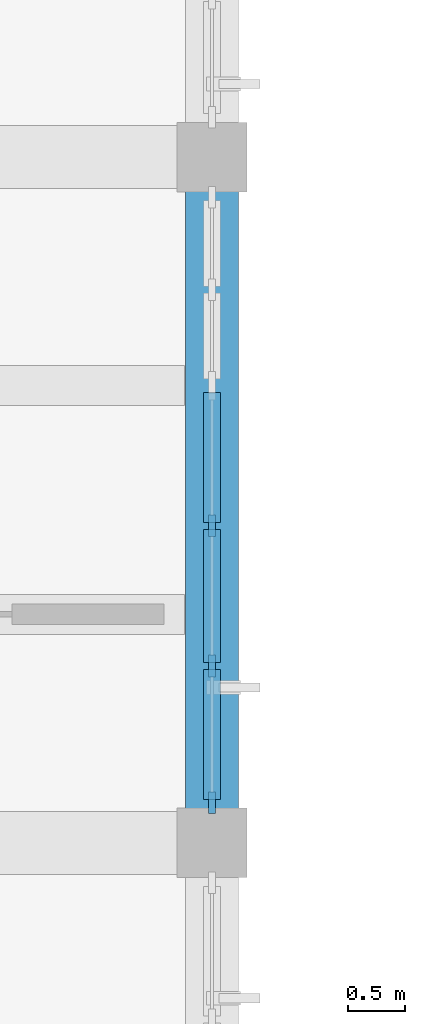
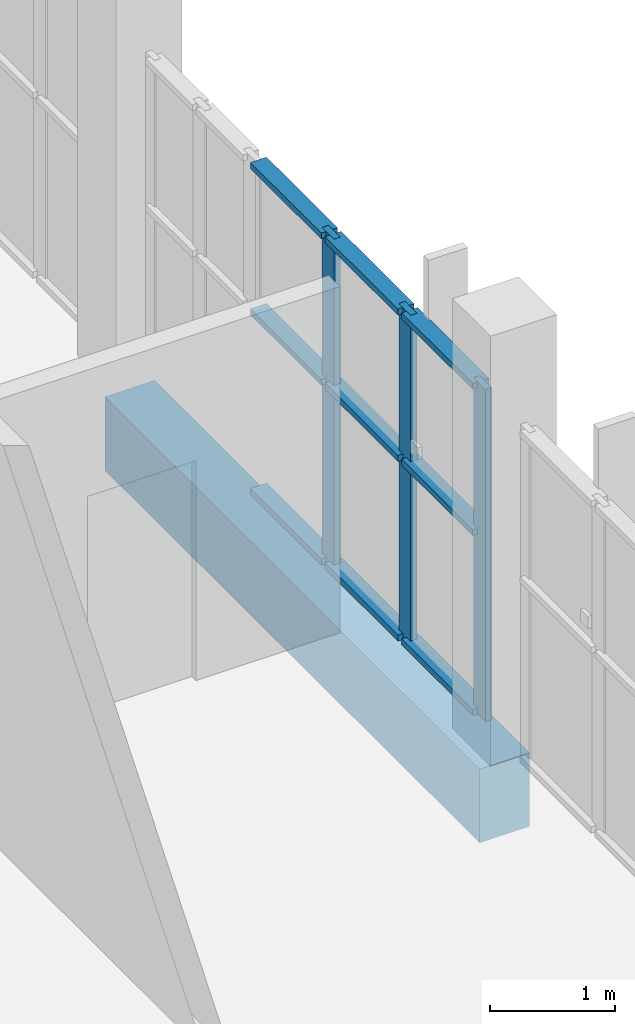
# One storey, part 11 of 85: 12 members, 1 beam, 1 element without a shape of its own.
"""IFC4 building model written with IfcOpenShell, lengths in metres."""

from ifc_helpers import new_model, si_unit, direction, frame, origin, origin_2d, place, context, subcontext, project, spatial, rectangle, extrude, material, layer, layer_set, material_profile, profile_set, type_object, element, aggregate, save


model = new_model("IFC4")

# Units and contexts
model_context = context("Model", 3, precision=1e-05, world=origin(), true_north=direction((0.0, 1.0)))
body_context = subcontext(model_context, "Body", "Model", "MODEL_VIEW")
ifc_project = project(units=[si_unit("LENGTHUNIT", "METRE"), si_unit("AREAUNIT", "SQUARE_METRE"), si_unit("VOLUMEUNIT", "CUBIC_METRE"), si_unit("PLANEANGLEUNIT", "RADIAN"), si_unit("MASSUNIT", "GRAM", prefix="KILO")], contexts=[model_context])

# Site, building, storey
site_placement = place(None, origin())
site = spatial("IfcSite", under=ifc_project, at=site_placement, CompositionType="ELEMENT")
building_placement = place(site_placement, origin())
building = spatial("IfcBuilding", under=site, at=building_placement, Name="Solvane Community Centre", CompositionType="ELEMENT")
storey_placement = place(building_placement, frame((0.0, 0.0, 5.39990234375)))
storey = spatial("IfcBuildingStorey", under=building, at=storey_placement, Name="L01", CompositionType="ELEMENT", Elevation=5.39990234375)

# Curtain wall, members
ifc_material_1 = material(Name="Anodised bronze aluminium AW-6063 T6", Category="aluminium")
ifc_layer = layer(ifc_material_1, 0.18994140625)
ifc_layer_set = layer_set([ifc_layer], Name="Anodised bronze aluminium AW-6063 T6")
curtain_wall_type = type_object("IfcCurtainWallType", Name="Boulevard Bronze Vision Curtain Wall [37x32dm]", PredefinedType="NOTDEFINED", material=ifc_layer_set)
curtain_wall_placement = place(storey_placement, origin())
curtain_wall = element("IfcCurtainWall", 1, at=curtain_wall_placement, inside=storey, type_object=curtain_wall_type, Name="Curtain Wall CW-L01-680_700-105", PredefinedType="NOTDEFINED")
ifc_material_profile_1 = material_profile(ifc_material_1, rectangle(XDim=0.06005859375, YDim=0.18994140625, at=origin_2d()), Name="CW-M 60x190")
ifc_profile_set_1 = profile_set([ifc_material_profile_1], Name="Anodised bronze aluminium AW-6063 T6")
member_type_1 = type_object("IfcMemberType", Name="Boulevard Mullion 60x190", PredefinedType="MULLION", material=ifc_profile_set_1)
member_1_placement = place(storey_placement, frame((68.0, 68.7734375, 0.0), z_axis=(0.0, 0.0, 1.0), x_axis=(1.0, 0.0, 0.0)))
member_1 = element("IfcMember", 2, at=member_1_placement, type_object=member_type_1, Name="CW02-37x32 mullion 2", PredefinedType="MULLION", context=body_context, shape_type="SweptSolid", body=[
    extrude(rectangle(XDim=0.06005859375, YDim=0.18994140625, at=origin_2d()), origin(), (0.0, 0.0, 1.0), 3.2451171875),
])
member_2_placement = place(storey_placement, frame((68.0, 67.546630859375, 0.0), z_axis=(0.0, 0.0, 1.0), x_axis=(1.0, 0.0, 0.0)))
member_2 = element("IfcMember", 3, at=member_2_placement, type_object=member_type_1, Name="CW02-37x32 mullion 3", PredefinedType="MULLION", context=body_context, shape_type="SweptSolid", body=[
    extrude(rectangle(XDim=0.06005859375, YDim=0.18994140625, at=origin_2d()), origin(), (0.0, 0.0, 1.0), 3.2451171875),
])
member_3_placement = place(storey_placement, frame((68.0, 66.35009765625, 0.0), z_axis=(0.0, 0.0, 1.0), x_axis=(1.0, 0.0, 0.0)))
member_3 = element("IfcMember", 4, at=member_3_placement, type_object=member_type_1, Name="CW02-37x32 mullion 4", PredefinedType="MULLION", context=body_context, shape_type="SweptSolid", body=[
    extrude(rectangle(XDim=0.06005859375, YDim=0.18994140625, at=origin_2d()), origin(), (0.0, 0.0, 1.0), 3.2451171875),
])
ifc_material_profile_2 = material_profile(ifc_material_1, rectangle(XDim=0.14990234375, YDim=0.06005859375, at=origin_2d()), Name="CW-T 60x150")
ifc_profile_set_2 = profile_set([ifc_material_profile_2], Name="Anodised bronze aluminium AW-6063 T6")
member_type_2 = type_object("IfcMemberType", Name="Boulevard Transom 60x150", PredefinedType="USERDEFINED", material=ifc_profile_set_2)
member_4_placement = place(storey_placement, frame((68.0, 69.93994140625, 0.030029296875), z_axis=(0.0, -1.0, 0.0), x_axis=(1.0, 0.0, 0.0)))
member_4 = element("IfcMember", 5, at=member_4_placement, type_object=member_type_2, Name="CW02-37x32 transom 1.1", ObjectType="TRANSOM", PredefinedType="USERDEFINED", context=body_context, shape_type="SweptSolid", body=[
    extrude(rectangle(XDim=0.14990234375, YDim=0.06005859375, at=origin_2d()), origin(), (0.0, 0.0, 1.0), 1.13671875),
])
member_5_placement = place(storey_placement, frame((68.0, 69.93994140625, 1.78515625), z_axis=(0.0, -1.0, 0.0), x_axis=(1.0, 0.0, 0.0)))
member_5 = element("IfcMember", 6, at=member_5_placement, type_object=member_type_2, Name="CW02-37x32 transom 1.2", ObjectType="TRANSOM", PredefinedType="USERDEFINED", context=body_context, shape_type="SweptSolid", body=[
    extrude(rectangle(XDim=0.14990234375, YDim=0.06005859375, at=origin_2d()), origin(), (0.0, 0.0, 1.0), 1.13671875),
])
member_6_placement = place(storey_placement, frame((68.0, 69.93994140625, 3.215087890625), z_axis=(0.0, -1.0, 0.0), x_axis=(1.0, 0.0, 0.0)))
member_6 = element("IfcMember", 7, at=member_6_placement, type_object=member_type_2, Name="CW02-37x32 transom 1.3", ObjectType="TRANSOM", PredefinedType="USERDEFINED", context=body_context, shape_type="SweptSolid", body=[
    extrude(rectangle(XDim=0.14990234375, YDim=0.06005859375, at=origin_2d()), origin(), (0.0, 0.0, 1.0), 1.13671875),
])
member_7_placement = place(storey_placement, frame((68.0, 68.743408203125, 0.030029296875), z_axis=(0.0, -1.0, 0.0), x_axis=(1.0, 0.0, 0.0)))
member_7 = element("IfcMember", 8, at=member_7_placement, type_object=member_type_2, Name="CW02-37x32 transom 2.1", ObjectType="TRANSOM", PredefinedType="USERDEFINED", context=body_context, shape_type="SweptSolid", body=[
    extrude(rectangle(XDim=0.14990234375, YDim=0.06005859375, at=origin_2d()), origin(), (0.0, 0.0, 1.0), 1.166748046875),
])
member_8_placement = place(storey_placement, frame((68.0, 68.743408203125, 1.78515625), z_axis=(0.0, -1.0, 0.0), x_axis=(1.0, 0.0, 0.0)))
member_8 = element("IfcMember", 9, at=member_8_placement, type_object=member_type_2, Name="CW02-37x32 transom 2.2", ObjectType="TRANSOM", PredefinedType="USERDEFINED", context=body_context, shape_type="SweptSolid", body=[
    extrude(rectangle(XDim=0.14990234375, YDim=0.06005859375, at=origin_2d()), origin(), (0.0, 0.0, 1.0), 1.166748046875),
])
member_9_placement = place(storey_placement, frame((68.0, 68.743408203125, 3.215087890625), z_axis=(0.0, -1.0, 0.0), x_axis=(1.0, 0.0, 0.0)))
member_9 = element("IfcMember", 10, at=member_9_placement, type_object=member_type_2, Name="CW02-37x32 transom 2.3", ObjectType="TRANSOM", PredefinedType="USERDEFINED", context=body_context, shape_type="SweptSolid", body=[
    extrude(rectangle(XDim=0.14990234375, YDim=0.06005859375, at=origin_2d()), origin(), (0.0, 0.0, 1.0), 1.166748046875),
])
member_10_placement = place(storey_placement, frame((68.0, 67.5166015625, 0.030029296875), z_axis=(0.0, -1.0, 0.0), x_axis=(1.0, 0.0, 0.0)))
member_10 = element("IfcMember", 11, at=member_10_placement, type_object=member_type_2, Name="CW02-37x32 transom 3.1", ObjectType="TRANSOM", PredefinedType="USERDEFINED", context=body_context, shape_type="SweptSolid", body=[
    extrude(rectangle(XDim=0.14990234375, YDim=0.06005859375, at=origin_2d()), origin(), (0.0, 0.0, 1.0), 1.13671875),
])
member_11_placement = place(storey_placement, frame((68.0, 67.5166015625, 1.78515625), z_axis=(0.0, -1.0, 0.0), x_axis=(1.0, 0.0, 0.0)))
member_11 = element("IfcMember", 12, at=member_11_placement, type_object=member_type_2, Name="CW02-37x32 transom 3.2", ObjectType="TRANSOM", PredefinedType="USERDEFINED", context=body_context, shape_type="SweptSolid", body=[
    extrude(rectangle(XDim=0.14990234375, YDim=0.06005859375, at=origin_2d()), origin(), (0.0, 0.0, 1.0), 1.13671875),
])
member_12_placement = place(storey_placement, frame((68.0, 67.5166015625, 3.215087890625), z_axis=(0.0, -1.0, 0.0), x_axis=(1.0, 0.0, 0.0)))
member_12 = element("IfcMember", 13, at=member_12_placement, type_object=member_type_2, Name="CW02-37x32 transom 3.3", ObjectType="TRANSOM", PredefinedType="USERDEFINED", context=body_context, shape_type="SweptSolid", body=[
    extrude(rectangle(XDim=0.14990234375, YDim=0.06005859375, at=origin_2d()), origin(), (0.0, 0.0, 1.0), 1.13671875),
])
aggregate(curtain_wall, [member_1, member_2, member_3, member_4, member_5, member_6, member_7, member_8, member_9, member_10, member_11, member_12])

# Beam
ifc_material_2 = material(Name="Concrete C35/45", Category="concrete")
ifc_material_profile_3 = material_profile(ifc_material_2, rectangle(XDim=0.4599609375, YDim=0.719970703125, at=origin_2d()), Name="RC 460x720")
ifc_profile_set_3 = profile_set([ifc_material_profile_3], Name="Concrete C35/45")
beam_type = type_object("IfcBeamType", Name="RC Cloister Beam 460x720", PredefinedType="BEAM", material=ifc_profile_set_3)
beam_placement = place(storey_placement, frame((68.0, 66.0, -0.599853515625), z_axis=(0.0, 1.0, 0.0), x_axis=(-1.0, 0.0, 0.0)))
element("IfcBeam", 14, at=beam_placement, inside=storey, type_object=beam_type, Name="Beam BM-L01-680_660-680_720", PredefinedType="BEAM", context=body_context, shape_type="SweptSolid", body=[
    extrude(rectangle(XDim=0.4599609375, YDim=0.719970703125, at=origin_2d()), origin(), (0.0, 0.0, 1.0), 6.0),
])

save(model, "model.ifc")
